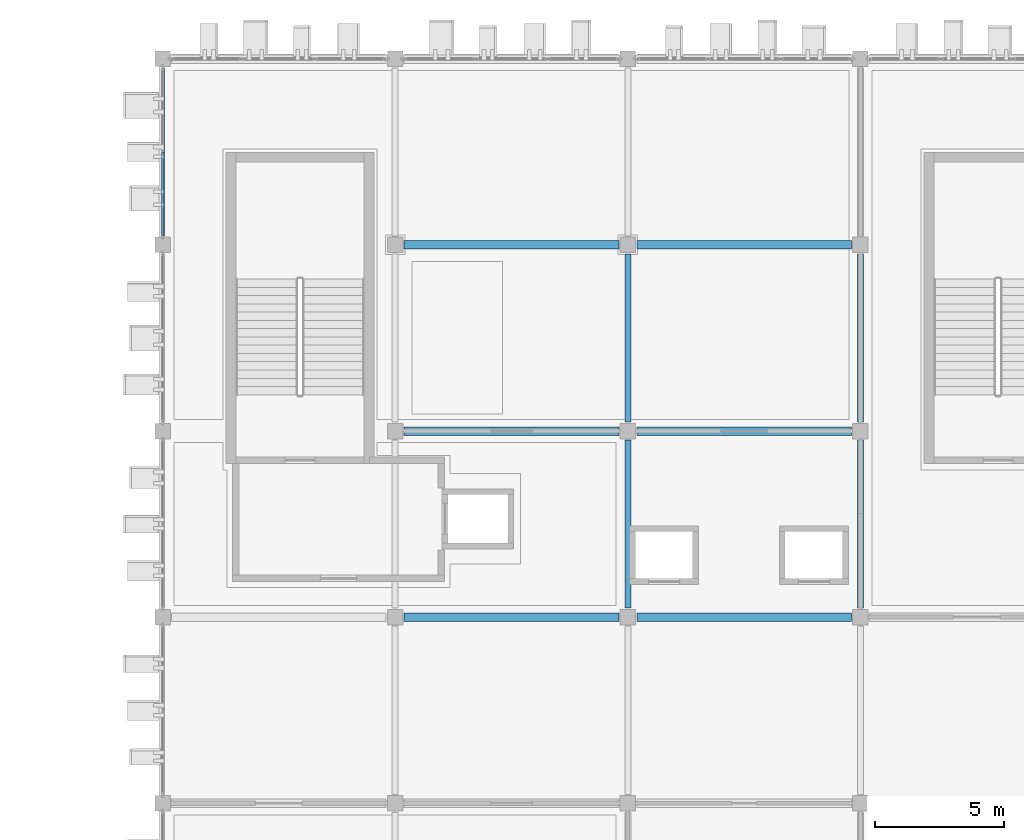
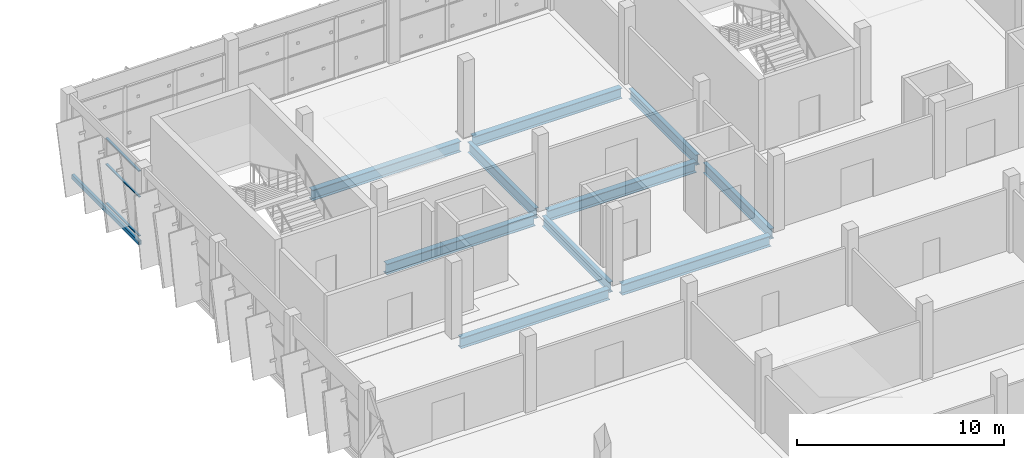
# One storey, part 64 of 124: 11 beams, 3 members, 1 element without a shape of its own.
"""IFC4 building model written with IfcOpenShell, lengths in metres."""

from ifc_helpers import new_model, si_unit, direction, frame, origin, origin_2d, place, context, subcontext, project, spatial, hollow_rectangle, i_section, extrude, material, layer, layer_set, material_profile, profile_set, type_object, element, aggregate, save


model = new_model("IFC4")

# Units and contexts
model_context = context("Model", 3, precision=1e-05, world=origin(), true_north=direction((0.0, 1.0)))
body_context = subcontext(model_context, "Body", "Model", "MODEL_VIEW")
ifc_project = project(units=[si_unit("LENGTHUNIT", "METRE"), si_unit("AREAUNIT", "SQUARE_METRE"), si_unit("VOLUMEUNIT", "CUBIC_METRE"), si_unit("PLANEANGLEUNIT", "RADIAN"), si_unit("MASSUNIT", "GRAM", prefix="KILO")], contexts=[model_context])

# Site, building, storey
site_placement = place(None, origin())
site = spatial("IfcSite", under=ifc_project, at=site_placement, CompositionType="ELEMENT")
building_placement = place(site_placement, origin())
building = spatial("IfcBuilding", under=site, at=building_placement, Name="Celestram Park Convention Centre", CompositionType="ELEMENT")
storey_placement = place(building_placement, frame((0.0, 0.0, 15.300048828125)))
storey = spatial("IfcBuildingStorey", under=building, at=storey_placement, Name="L03", CompositionType="ELEMENT", Elevation=15.300048828125)

# Curtain wall, members
ifc_material_1 = material(Name="Anodised Aluminium Alloy 6063-T6", Category="aluminium")
ifc_layer = layer(ifc_material_1, 0.179931640625)
ifc_layer_set = layer_set([ifc_layer], Name="Anodised Aluminium Alloy 6063-T6")
curtain_wall_type = type_object("IfcCurtainWallType", Name="ARC-CW-660X389", PredefinedType="NOTDEFINED", material=ifc_layer_set)
curtain_wall_placement = place(storey_placement, origin())
curtain_wall = element("IfcCurtainWall", 1, at=curtain_wall_placement, inside=storey, type_object=curtain_wall_type, Name="Unitised curtain wall CU-L03-202", PredefinedType="NOTDEFINED")
ifc_material_profile_1 = material_profile(ifc_material_1, hollow_rectangle(XDim=0.1201171875, YDim=0.06005859375, WallThickness=0.0029296875, at=origin_2d()), Name="ALU120X60X3")
ifc_profile_set_1 = profile_set([ifc_material_profile_1], Name="Anodised Aluminium Alloy 6063-T6")
member_type = type_object("IfcMemberType", Name="ARC-CWT-120", PredefinedType="USERDEFINED", material=ifc_profile_set_1)
member_1_placement = place(storey_placement, frame((36.0, 158.762939453125, 0.030029296875), z_axis=(0.0, 1.0, 0.0), x_axis=(-1.0, 0.0, 0.0)))
member_1 = element("IfcMember", 2, at=member_1_placement, type_object=member_type, Name="CW-66X38 transom 1.1", ObjectType="TRANSOM", PredefinedType="USERDEFINED", context=body_context, shape_type="SweptSolid", body=[
    extrude(hollow_rectangle(XDim=0.1201171875, YDim=0.06005859375, WallThickness=0.0029296875, at=origin_2d()), origin(), (0.0, 0.0, 1.0), 3.20458984375),
])
member_2_placement = place(storey_placement, frame((36.0, 158.762939453125, 2.3359375), z_axis=(0.0, 1.0, 0.0), x_axis=(-1.0, 0.0, 0.0)))
member_2 = element("IfcMember", 3, at=member_2_placement, type_object=member_type, Name="CW-66X38 transom 1.2", ObjectType="TRANSOM", PredefinedType="USERDEFINED", context=body_context, shape_type="SweptSolid", body=[
    extrude(hollow_rectangle(XDim=0.1201171875, YDim=0.06005859375, WallThickness=0.0029296875, at=origin_2d()), origin(), (0.0, 0.0, 1.0), 3.20458984375),
])
member_3_placement = place(storey_placement, frame((36.0, 158.762939453125, 3.864013671875), z_axis=(0.0, 1.0, 0.0), x_axis=(-1.0, 0.0, 0.0)))
member_3 = element("IfcMember", 4, at=member_3_placement, type_object=member_type, Name="CW-66X38 transom 1.3", ObjectType="TRANSOM", PredefinedType="USERDEFINED", context=body_context, shape_type="SweptSolid", body=[
    extrude(hollow_rectangle(XDim=0.1201171875, YDim=0.06005859375, WallThickness=0.0029296875, at=origin_2d()), origin(), (0.0, 0.0, 1.0), 3.20458984375),
])
aggregate(curtain_wall, [member_1, member_2, member_3])

# Beams
ifc_material_2 = material(Name="Steel ASTM A992 Grade 50", Category="steel")
ifc_material_profile_2 = material_profile(ifc_material_2, i_section(OverallWidth=0.327880859375, OverallDepth=0.6220703125, WebThickness=0.015380859375, FlangeThickness=0.0244140625, at=origin_2d()), Name="W24X131")
ifc_profile_set_2 = profile_set([ifc_material_profile_2], Name="Steel ASTM A992 Grade 50")
beam_type_1 = type_object("IfcBeamType", Name="STR-BM-W24X131", PredefinedType="BEAM", material=ifc_profile_set_2)
for number, where, z_axis, x_axis, name in (
    (5, (45.347900390625, 144.0, -0.56103515625), (1.0, 0.0, 0.0), (0.0, 1.0, 0.0), "Primary X-girder BG-L03-0024"),
    (6, (45.347900390625, 151.199951171875, -0.56103515625), (1.0, 0.0, 0.0), (0.0, 1.0, 0.0), "Primary X-girder BG-L03-0026"),
    (7, (45.347900390625, 158.39990234375, -0.56103515625), (1.0, 0.0, 0.0), (0.0, 1.0, 0.0), "Primary X-girder BG-L03-0028"),
    (8, (54.347900390625, 144.0, -0.56103515625), (1.0, 0.0, 0.0), (0.0, 1.0, 0.0), "Primary X-girder BG-L03-0038"),
    (9, (54.347900390625, 151.199951171875, -0.56103515625), (1.0, 0.0, 0.0), (0.0, 1.0, 0.0), "Primary X-girder BG-L03-0040"),
    (10, (54.347900390625, 158.39990234375, -0.56103515625), (1.0, 0.0, 0.0), (0.0, 1.0, 0.0), "Primary X-girder BG-L03-0042"),
):
    element("IfcBeam", number, at=place(storey_placement, frame(where, z_axis=z_axis, x_axis=x_axis)), inside=storey, type_object=beam_type_1, Name=name, PredefinedType="BEAM", context=body_context, shape_type="SweptSolid", body=[
        extrude(i_section(OverallWidth=0.327880859375, OverallDepth=0.6220703125, WebThickness=0.015380859375, FlangeThickness=0.0244140625, at=origin_2d()), origin(), (0.0, 0.0, 1.0), 8.30419921875),
    ])
ifc_material_profile_3 = material_profile(ifc_material_2, i_section(OverallWidth=0.22900390625, OverallDepth=0.612060546875, WebThickness=0.011962890625, FlangeThickness=0.01953125, at=origin_2d()), Name="W24X84")
ifc_profile_set_3 = profile_set([ifc_material_profile_3], Name="Steel ASTM A992 Grade 50")
beam_type_2 = type_object("IfcBeamType", Name="STR-BM-W24X84", PredefinedType="BEAM", material=ifc_profile_set_3)
beam_1_placement = place(storey_placement, frame((54.0, 144.347900390625, -0.55615234375), z_axis=(0.0, 1.0, 0.0), x_axis=(-1.0, 0.0, 0.0)))
element("IfcBeam", 11, at=beam_1_placement, inside=storey, type_object=beam_type_2, Name="Primary Y-girder BG-L03-0039", PredefinedType="BEAM", context=body_context, shape_type="SweptSolid", body=[
    extrude(i_section(OverallWidth=0.22900390625, OverallDepth=0.612060546875, WebThickness=0.011962890625, FlangeThickness=0.01953125, at=origin_2d()), origin(), (0.0, 0.0, 1.0), 6.504150390625),
])
beam_2_placement = place(storey_placement, frame((54.0, 151.548095703125, -0.55615234375), z_axis=(0.0, 1.0, 0.0), x_axis=(-1.0, 0.0, 0.0)))
element("IfcBeam", 12, at=beam_2_placement, inside=storey, type_object=beam_type_2, Name="Primary Y-girder BG-L03-0041", PredefinedType="BEAM", context=body_context, shape_type="SweptSolid", body=[
    extrude(i_section(OverallWidth=0.22900390625, OverallDepth=0.612060546875, WebThickness=0.011962890625, FlangeThickness=0.01953125, at=origin_2d()), origin(), (0.0, 0.0, 1.0), 6.50390625),
])
beam_3_placement = place(storey_placement, frame((63.0, 144.347900390625, -0.55615234375), z_axis=(0.0, 1.0, 0.0), x_axis=(-1.0, 0.0, 0.0)))
element("IfcBeam", 13, at=beam_3_placement, inside=storey, type_object=beam_type_2, Name="Primary Y-girder BG-L03-0053", PredefinedType="BEAM", context=body_context, shape_type="SweptSolid", body=[
    extrude(i_section(OverallWidth=0.22900390625, OverallDepth=0.612060546875, WebThickness=0.011962890625, FlangeThickness=0.01953125, at=origin_2d()), origin(), (0.0, 0.0, 1.0), 6.504150390625),
])
beam_4_placement = place(storey_placement, frame((63.0, 151.548095703125, -0.55615234375), z_axis=(0.0, 1.0, 0.0), x_axis=(-1.0, 0.0, 0.0)))
element("IfcBeam", 14, at=beam_4_placement, inside=storey, type_object=beam_type_2, Name="Primary Y-girder BG-L03-0054", PredefinedType="BEAM", context=body_context, shape_type="SweptSolid", body=[
    extrude(i_section(OverallWidth=0.22900390625, OverallDepth=0.612060546875, WebThickness=0.011962890625, FlangeThickness=0.01953125, at=origin_2d()), origin(), (0.0, 0.0, 1.0), 6.50390625),
])
ifc_material_3 = material(Name="Steel ASTM A500 Grade C", Category="steel")
ifc_material_profile_4 = material_profile(ifc_material_3, hollow_rectangle(XDim=0.14990234375, YDim=0.25, WallThickness=0.010009765625, at=origin_2d()), Name="HSS250X150X10")
ifc_profile_set_4 = profile_set([ifc_material_profile_4], Name="Steel ASTM A500 Grade C")
beam_type_3 = type_object("IfcBeamType", Name="STR-SPN-HSS250X150", PredefinedType="SPANDREL", material=ifc_profile_set_4)
beam_5_placement = place(storey_placement, frame((36.0, 158.748046875, -0.375), z_axis=(0.0, 1.0, 0.0), x_axis=(-1.0, 0.0, 0.0)))
element("IfcBeam", 15, at=beam_5_placement, inside=storey, type_object=beam_type_3, Name="Primary Y-girder BG-L03-0013", PredefinedType="SPANDREL", context=body_context, shape_type="SweptSolid", body=[
    extrude(hollow_rectangle(XDim=0.14990234375, YDim=0.25, WallThickness=0.010009765625, at=origin_2d()), origin(), (0.0, 0.0, 1.0), 6.50390625),
])

save(model, "model.ifc")
